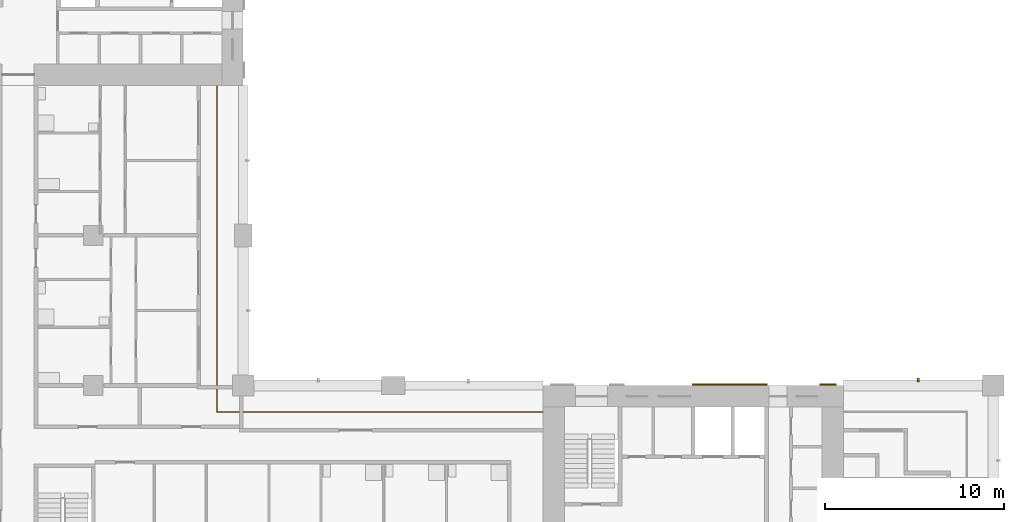
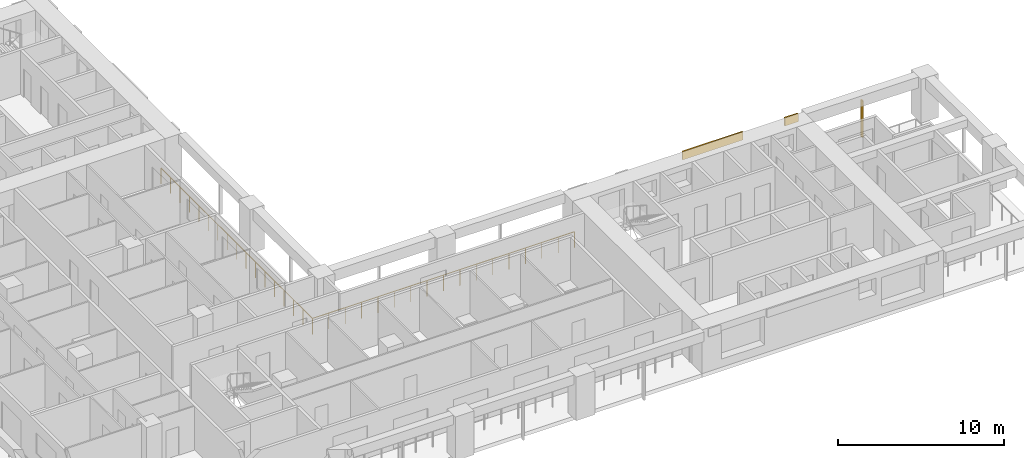
# One storey, part 14 of 17: 3 shading devices, 1 railing.
"""IFC4 building model written with IfcOpenShell, lengths in metres."""

from ifc_helpers import new_model, si_unit, direction, frame, origin, origin_2d, place, context, subcontext, project, spatial, rectangle, circle, extrude, material, layer, layer_set, material_profile, profile_set, type_object, element, save


model = new_model("IFC4")

# Units and contexts
model_context = context("Model", 3, precision=1e-05, world=origin(), true_north=direction((0.0, 1.0)))
body_context = subcontext(model_context, "Body", "Model", "MODEL_VIEW")
ifc_project = project(units=[si_unit("LENGTHUNIT", "METRE"), si_unit("AREAUNIT", "SQUARE_METRE"), si_unit("VOLUMEUNIT", "CUBIC_METRE"), si_unit("PLANEANGLEUNIT", "RADIAN"), si_unit("MASSUNIT", "GRAM", prefix="KILO")], contexts=[model_context])

# Site, building, storey
site_placement = place(None, origin())
site = spatial("IfcSite", under=ifc_project, at=site_placement, CompositionType="ELEMENT")
building_placement = place(site_placement, origin())
building = spatial("IfcBuilding", under=site, at=building_placement, Name="Vermilion Gate Residences", CompositionType="ELEMENT")
storey_placement = place(building_placement, frame((0.0, 0.0, 98.699951171875)))
storey = spatial("IfcBuildingStorey", under=building, at=storey_placement, Name="L24", CompositionType="ELEMENT", Elevation=98.699951171875)

# Railing
ifc_material_1 = material(Name="Stainless steel and toughened glass", Category="steel")
railing_type = type_object("IfcRailingType", Name="LOGGIA GUARD STEEL AND GLASS 1200", PredefinedType="GUARDRAIL", material=ifc_material_1)
railing_placement = place(storey_placement, frame((41.97802734375, 23.72509765625, 0.0)))
element("IfcRailing", 1, at=railing_placement, inside=storey, type_object=railing_type, Name="Loggia guard", PredefinedType="GUARDRAIL", context=body_context, shape_type="SweptSolid", body=[
    extrude(circle(Radius=0.030029296875, at=origin_2d()), frame((0.0, 0.0, 1.169921875), z_axis=(-1.0, 0.0, 0.0), x_axis=(0.0, -1.0, 0.0)), (0.0, 0.0, 1.0), 18.2529296875),
    extrude(circle(Radius=0.030029296875, at=origin_2d()), frame((-18.2529296875, 0.0, 1.169921875), z_axis=(0.0, 1.0, 0.0), x_axis=(-1.0, 0.0, 0.0)), (0.0, 0.0, 1.0), 18.2529296875),
    extrude(circle(Radius=0.02490234375, at=origin_2d()), origin(), (0.0, 0.0, 1.0), 1.139892578125),
    extrude(circle(Radius=0.02490234375, at=origin_2d()), frame((-1.140869140625, 0.0, 0.0)), (0.0, 0.0, 1.0), 1.139892578125),
    extrude(circle(Radius=0.02490234375, at=origin_2d()), frame((-2.28173828125, 0.0, 0.0)), (0.0, 0.0, 1.0), 1.139892578125),
    extrude(circle(Radius=0.02490234375, at=origin_2d()), frame((-3.42236328125, 0.0, 0.0)), (0.0, 0.0, 1.0), 1.139892578125),
    extrude(circle(Radius=0.02490234375, at=origin_2d()), frame((-4.563232421875, 0.0, 0.0)), (0.0, 0.0, 1.0), 1.139892578125),
    extrude(circle(Radius=0.02490234375, at=origin_2d()), frame((-5.7041015625, 0.0, 0.0)), (0.0, 0.0, 1.0), 1.139892578125),
    extrude(circle(Radius=0.02490234375, at=origin_2d()), frame((-6.8447265625, 0.0, 0.0)), (0.0, 0.0, 1.0), 1.139892578125),
    extrude(circle(Radius=0.02490234375, at=origin_2d()), frame((-7.985595703125, 0.0, 0.0)), (0.0, 0.0, 1.0), 1.139892578125),
    extrude(circle(Radius=0.02490234375, at=origin_2d()), frame((-9.12646484375, 0.0, 0.0)), (0.0, 0.0, 1.0), 1.139892578125),
    extrude(circle(Radius=0.02490234375, at=origin_2d()), frame((-10.267333984375, 0.0, 0.0)), (0.0, 0.0, 1.0), 1.139892578125),
    extrude(circle(Radius=0.02490234375, at=origin_2d()), frame((-11.408203125, 0.0, 0.0)), (0.0, 0.0, 1.0), 1.139892578125),
    extrude(circle(Radius=0.02490234375, at=origin_2d()), frame((-12.548828125, 0.0, 0.0)), (0.0, 0.0, 1.0), 1.139892578125),
    extrude(circle(Radius=0.02490234375, at=origin_2d()), frame((-13.689697265625, 0.0, 0.0)), (0.0, 0.0, 1.0), 1.139892578125),
    extrude(circle(Radius=0.02490234375, at=origin_2d()), frame((-14.83056640625, 0.0, 0.0)), (0.0, 0.0, 1.0), 1.139892578125),
    extrude(circle(Radius=0.02490234375, at=origin_2d()), frame((-15.97119140625, 0.0, 0.0)), (0.0, 0.0, 1.0), 1.139892578125),
    extrude(circle(Radius=0.02490234375, at=origin_2d()), frame((-17.112060546875, 0.0, 0.0)), (0.0, 0.0, 1.0), 1.139892578125),
    extrude(circle(Radius=0.02490234375, at=origin_2d()), frame((-18.2529296875, 0.0, 0.0)), (0.0, 0.0, 1.0), 1.139892578125),
    extrude(circle(Radius=0.02490234375, at=origin_2d()), frame((-18.2529296875, 1.140869140625, 0.0)), (0.0, 0.0, 1.0), 1.139892578125),
    extrude(circle(Radius=0.02490234375, at=origin_2d()), frame((-18.2529296875, 2.28173828125, 0.0)), (0.0, 0.0, 1.0), 1.139892578125),
    extrude(circle(Radius=0.02490234375, at=origin_2d()), frame((-18.2529296875, 3.42236328125, 0.0)), (0.0, 0.0, 1.0), 1.139892578125),
    extrude(circle(Radius=0.02490234375, at=origin_2d()), frame((-18.2529296875, 4.563232421875, 0.0)), (0.0, 0.0, 1.0), 1.139892578125),
    extrude(circle(Radius=0.02490234375, at=origin_2d()), frame((-18.2529296875, 5.7041015625, 0.0)), (0.0, 0.0, 1.0), 1.139892578125),
    extrude(circle(Radius=0.02490234375, at=origin_2d()), frame((-18.2529296875, 6.8447265625, 0.0)), (0.0, 0.0, 1.0), 1.139892578125),
    extrude(circle(Radius=0.02490234375, at=origin_2d()), frame((-18.2529296875, 7.985595703125, 0.0)), (0.0, 0.0, 1.0), 1.139892578125),
    extrude(circle(Radius=0.02490234375, at=origin_2d()), frame((-18.2529296875, 9.12646484375, 0.0)), (0.0, 0.0, 1.0), 1.139892578125),
    extrude(circle(Radius=0.02490234375, at=origin_2d()), frame((-18.2529296875, 10.267333984375, 0.0)), (0.0, 0.0, 1.0), 1.139892578125),
    extrude(circle(Radius=0.02490234375, at=origin_2d()), frame((-18.2529296875, 11.408203125, 0.0)), (0.0, 0.0, 1.0), 1.139892578125),
    extrude(circle(Radius=0.02490234375, at=origin_2d()), frame((-18.2529296875, 12.548828125, 0.0)), (0.0, 0.0, 1.0), 1.139892578125),
    extrude(circle(Radius=0.02490234375, at=origin_2d()), frame((-18.2529296875, 13.689697265625, 0.0)), (0.0, 0.0, 1.0), 1.139892578125),
    extrude(circle(Radius=0.02490234375, at=origin_2d()), frame((-18.2529296875, 14.83056640625, 0.0)), (0.0, 0.0, 1.0), 1.139892578125),
    extrude(circle(Radius=0.02490234375, at=origin_2d()), frame((-18.2529296875, 15.97119140625, 0.0)), (0.0, 0.0, 1.0), 1.139892578125),
    extrude(circle(Radius=0.02490234375, at=origin_2d()), frame((-18.2529296875, 17.112060546875, 0.0)), (0.0, 0.0, 1.0), 1.139892578125),
    extrude(circle(Radius=0.02490234375, at=origin_2d()), frame((-18.2529296875, 18.2529296875, 0.0)), (0.0, 0.0, 1.0), 1.139892578125),
])

# Shading devices
ifc_material_2 = material(Name="Extruded terracotta", Category="masonry")
ifc_material_profile = material_profile(ifc_material_2, rectangle(XDim=0.199951171875, YDim=0.10009765625, at=origin_2d()), Name="BAGUETTE 100 X 200")
ifc_profile_set = profile_set([ifc_material_profile], Name="Extruded terracotta")
shading_device_type_1 = type_object("IfcShadingDeviceType", Name="TERRACOTTA BAGUETTE 100 X 200", PredefinedType="JALOUSIE", material=ifc_profile_set)
shading_device_1_placement = place(storey_placement, frame((63.0, 25.5, -0.280029296875), z_axis=(0.0, 0.0, 1.0), x_axis=(0.0, -1.0, 0.0)))
element("IfcShadingDevice", 2, at=shading_device_1_placement, inside=storey, type_object=shading_device_type_1, Name="BAGUETTE", PredefinedType="JALOUSIE", context=body_context, shape_type="SweptSolid", body=[
    extrude(rectangle(XDim=0.199951171875, YDim=0.10009765625, at=origin_2d()), origin(), (0.0, 0.0, 1.0), 2.7001953125),
])
ifc_material_3 = material(Name="Extruded terracotta", Category="masonry")
ifc_layer = layer(ifc_material_3, 0.10009765625)
ifc_layer_set = layer_set([ifc_layer], Name="TERRACOTTA SPANDREL BAND 600 X 100")
shading_device_type_2 = type_object("IfcShadingDeviceType", Name="TERRACOTTA SPANDREL BAND 600 X 100", PredefinedType="USERDEFINED", material=ifc_layer_set)
shading_device_2_placement = place(storey_placement, frame((52.449951171875, 25.25, 2.6201171875), z_axis=(0.0, 0.0, 1.0), x_axis=(1.0, 0.0, 0.0)))
element("IfcShadingDevice", 3, at=shading_device_2_placement, inside=storey, type_object=shading_device_type_2, Name="SPANDREL BAND", ObjectType="BAND", PredefinedType="USERDEFINED", context=body_context, shape_type="SweptSolid", body=[
    extrude(rectangle(XDim=4.199951171875, YDim=0.10009765625, at=origin_2d()), origin(), (0.0, 0.0, 1.0), 0.60009765625),
])
shading_device_3_placement = place(storey_placement, frame((57.9375, 25.25, 2.6201171875), z_axis=(0.0, 0.0, 1.0), x_axis=(1.0, 0.0, 0.0)))
element("IfcShadingDevice", 4, at=shading_device_3_placement, inside=storey, type_object=shading_device_type_2, Name="SPANDREL BAND", ObjectType="BAND", PredefinedType="USERDEFINED", context=body_context, shape_type="SweptSolid", body=[
    extrude(rectangle(XDim=0.925048828125, YDim=0.10009765625, at=origin_2d()), origin(), (0.0, 0.0, 1.0), 0.60009765625),
])

save(model, "model.ifc")
